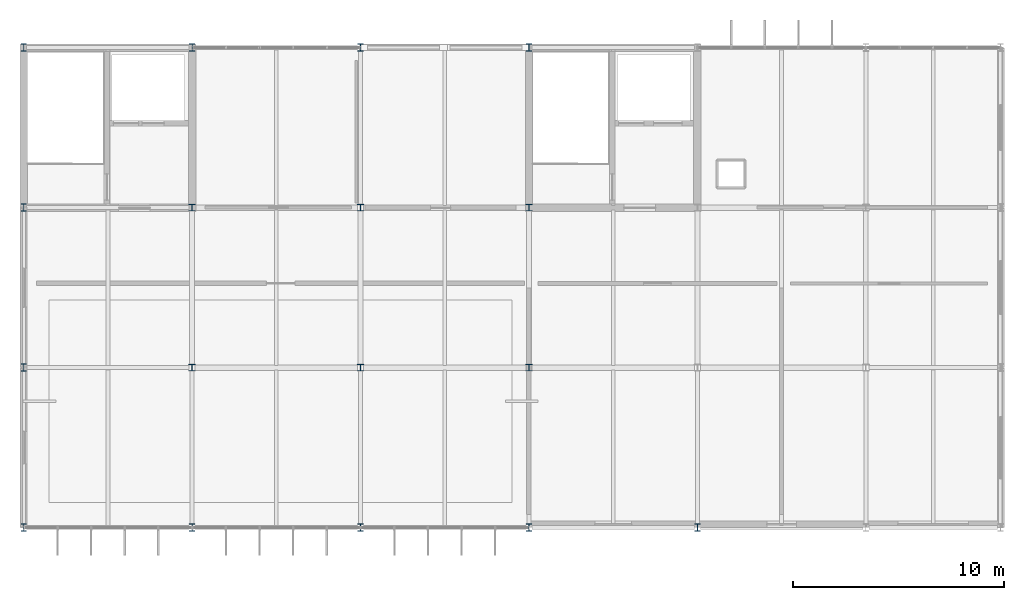
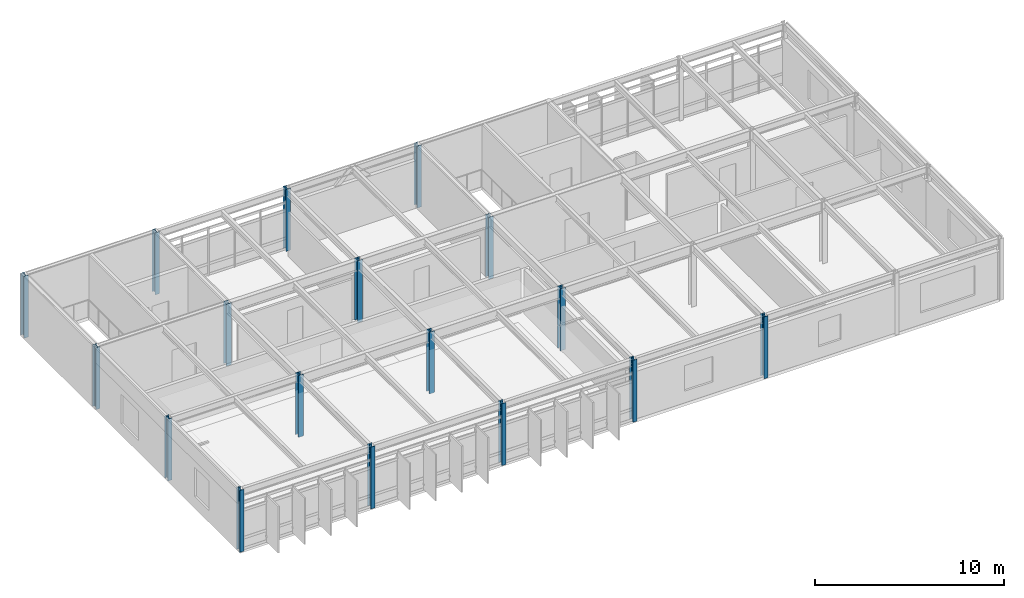
# One storey, part 1 of 17: 17 columns.
"""IFC4 building model written with IfcOpenShell, lengths in metres."""

from ifc_helpers import new_model, si_unit, direction, frame, origin, origin_2d, place, context, subcontext, project, spatial, i_section, extrude, material, material_profile, profile_set, type_object, element, save


model = new_model("IFC4")

# Units and contexts
model_context = context("Model", 3, precision=1e-05, world=origin(), true_north=direction((0.0, 1.0)))
body_context = subcontext(model_context, "Body", "Model", "MODEL_VIEW")
ifc_project = project(units=[si_unit("LENGTHUNIT", "METRE"), si_unit("AREAUNIT", "SQUARE_METRE"), si_unit("VOLUMEUNIT", "CUBIC_METRE"), si_unit("PLANEANGLEUNIT", "RADIAN"), si_unit("MASSUNIT", "GRAM", prefix="KILO")], contexts=[model_context])

# Site, building, storey
site_placement = place(None, origin())
site = spatial("IfcSite", under=ifc_project, at=site_placement, CompositionType="ELEMENT")
building_placement = place(site_placement, origin())
building = spatial("IfcBuilding", under=site, at=building_placement, Name="Zulena Civic Courthouse", CompositionType="ELEMENT")
storey_placement = place(building_placement, frame((0.0, 0.0, 42.0)))
storey = spatial("IfcBuildingStorey", under=building, at=storey_placement, Name="L09", CompositionType="ELEMENT", Elevation=42.0)

# Columns
ifc_material = material(Name="Steel ASTM A992 Grade 50", Category="steel")
ifc_material_profile_1 = material_profile(ifc_material, i_section(OverallWidth=0.306884765625, OverallDepth=0.31396484375, WebThickness=0.011962890625, FlangeThickness=0.018798828125, FilletRadius=0.01513671875, at=origin_2d()), Name="W12X79")
ifc_profile_set_1 = profile_set([ifc_material_profile_1], Name="Steel ASTM A992 Grade 50")
column_type_1 = type_object("IfcColumnType", Name="Col_W12X79", PredefinedType="COLUMN", material=ifc_profile_set_1)
for number, where, z_axis, x_axis, name in (
    (1, (28.0, 7.60009765625, 0.0), (0.0, 0.0, 1.0), (1.0, 0.0, 0.0), "col:V2:L09:28.0:7.6"),
    (2, (28.0, 15.199951171875, 0.0), (0.0, 0.0, 1.0), (1.0, 0.0, 0.0), "col:V2:L09:28.0:15.2"),
    (3, (36.0, 7.60009765625, 0.0), (0.0, 0.0, 1.0), (1.0, 0.0, 0.0), "col:V2:L09:36.0:7.6"),
    (4, (36.0, 15.199951171875, 0.0), (0.0, 0.0, 1.0), (1.0, 0.0, 0.0), "col:V2:L09:36.0:15.2"),
    (5, (44.0, 7.60009765625, 0.0), (0.0, 0.0, 1.0), (1.0, 0.0, 0.0), "col:V2:L09:44.0:7.6"),
    (6, (44.0, 15.199951171875, 0.0), (0.0, 0.0, 1.0), (1.0, 0.0, 0.0), "col:V2:L09:44.0:15.2"),
):
    element("IfcColumn", number, at=place(storey_placement, frame(where, z_axis=z_axis, x_axis=x_axis)), inside=storey, type_object=column_type_1, Name=name, PredefinedType="COLUMN", context=body_context, shape_type="SweptSolid", body=[
        extrude(i_section(OverallWidth=0.306884765625, OverallDepth=0.31396484375, WebThickness=0.011962890625, FlangeThickness=0.018798828125, FilletRadius=0.01513671875, at=origin_2d()), origin(), (0.0, 0.0, 1.0), 3.9951171875),
    ])
ifc_material_profile_2 = material_profile(ifc_material, i_section(OverallWidth=0.2548828125, OverallDepth=0.35693359375, WebThickness=0.010498046875, FlangeThickness=0.018310546875, FilletRadius=0.01513671875, at=origin_2d()), Name="W14X68")
ifc_profile_set_2 = profile_set([ifc_material_profile_2], Name="Steel ASTM A992 Grade 50")
column_type_2 = type_object("IfcColumnType", Name="Col_W14X68", PredefinedType="COLUMN", material=ifc_profile_set_2)
for number, where, z_axis, x_axis, name in (
    (7, (20.0, 0.0, 0.0), (0.0, 0.0, 1.0), (1.0, 0.0, 0.0), "col:V2:L09:20.0:0.0"),
    (8, (20.0, 7.60009765625, 0.0), (0.0, 0.0, 1.0), (1.0, 0.0, 0.0), "col:V2:L09:20.0:7.6"),
    (9, (20.0, 15.199951171875, 0.0), (0.0, 0.0, 1.0), (1.0, 0.0, 0.0), "col:V2:L09:20.0:15.2"),
    (10, (20.0, 22.800048828125, 0.0), (0.0, 0.0, 1.0), (1.0, 0.0, 0.0), "col:V2:L09:20.0:22.8"),
    (11, (28.0, 0.0, 0.0), (0.0, 0.0, 1.0), (1.0, 0.0, 0.0), "col:V2:L09:28.0:0.0"),
    (12, (28.0, 22.800048828125, 0.0), (0.0, 0.0, 1.0), (1.0, 0.0, 0.0), "col:V2:L09:28.0:22.8"),
    (13, (36.0, 0.0, 0.0), (0.0, 0.0, 1.0), (1.0, 0.0, 0.0), "col:V2:L09:36.0:0.0"),
    (14, (36.0, 22.800048828125, 0.0), (0.0, 0.0, 1.0), (1.0, 0.0, 0.0), "col:V2:L09:36.0:22.8"),
    (15, (44.0, 0.0, 0.0), (0.0, 0.0, 1.0), (1.0, 0.0, 0.0), "col:V2:L09:44.0:0.0"),
    (16, (44.0, 22.800048828125, 0.0), (0.0, 0.0, 1.0), (1.0, 0.0, 0.0), "col:V2:L09:44.0:22.8"),
    (17, (52.0, 0.0, 0.0), (0.0, 0.0, 1.0), (1.0, 0.0, 0.0), "col:V2:L09:52.0:0.0"),
):
    element("IfcColumn", number, at=place(storey_placement, frame(where, z_axis=z_axis, x_axis=x_axis)), inside=storey, type_object=column_type_2, Name=name, PredefinedType="COLUMN", context=body_context, shape_type="SweptSolid", body=[
        extrude(i_section(OverallWidth=0.2548828125, OverallDepth=0.35693359375, WebThickness=0.010498046875, FlangeThickness=0.018310546875, FilletRadius=0.01513671875, at=origin_2d()), origin(), (0.0, 0.0, 1.0), 3.9951171875),
    ])

save(model, "model.ifc")
